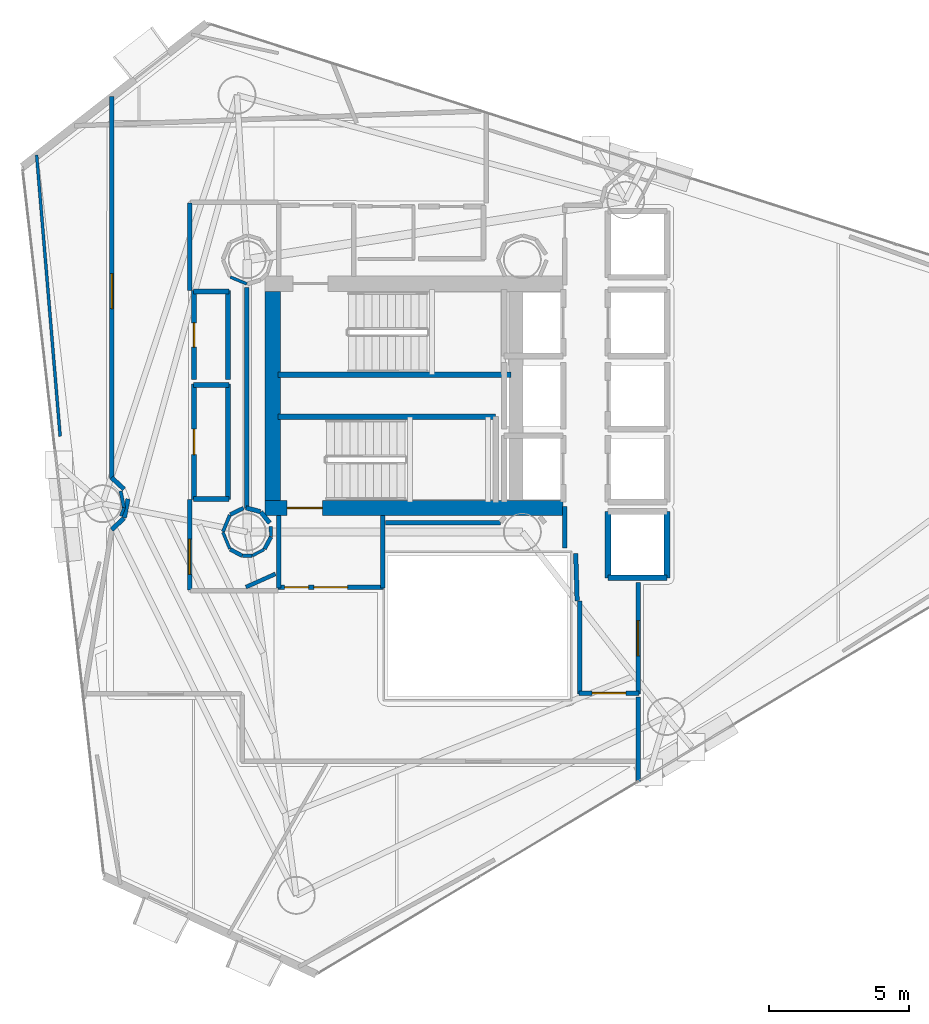
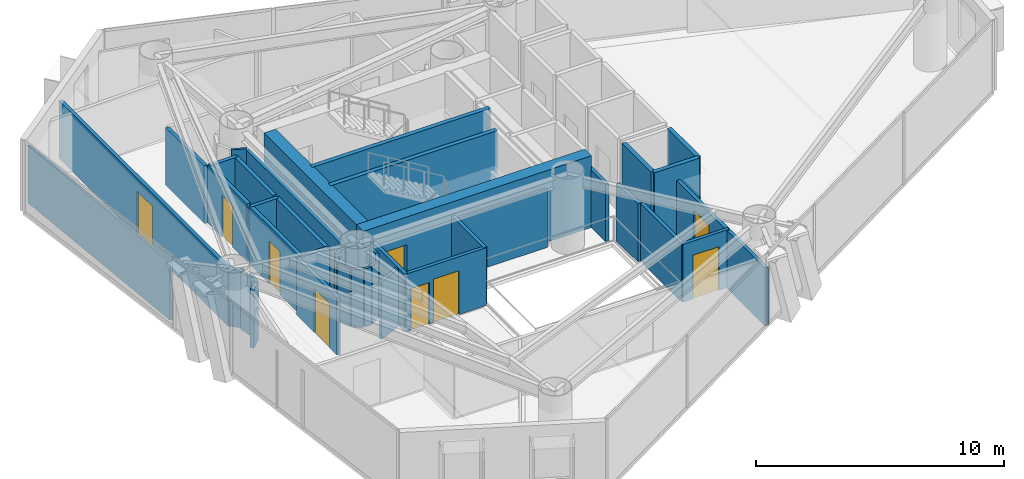
# One storey, part 18 of 22: 46 walls, 9 doors, 9 openings.
"""IFC4 building model written with IfcOpenShell, lengths in metres."""

import ifcopenshell
import ifcopenshell.guid

model = None  # the IFC model being written
_history = None  # IfcOwnerHistory: only IFC2X3 demands one
_inside = {}  # id of a spatial element -> (the spatial element, [elements in it])
_under = {}  # id of a project, library or spatial element -> (it, [spatial elements below it])
_declared = {}  # id of a project -> (the project, [libraries it declares])
_typed = {}  # id of a type object -> (the type object, [elements of that type])
_made_of = {}  # id of a material, layer set ... -> (it, [elements and type objects made of it])


def new_model(schema):
    """Start an empty IFC model of exactly this schema.

    Asked for "IFC4X3", IfcOpenShell would pick the latest addendum, in which some entities
    have other attributes; the version numbers below select the first issue.
    IFC2X3 requires an IfcOwnerHistory on every rooted entity: one is made here for all.
    """
    global model, _history
    if schema == "IFC4X3":
        model = ifcopenshell.file(schema_version=(4, 3, 0, 0))
    else:
        model = ifcopenshell.file(schema=schema)
    _inside.clear()
    _under.clear()
    _declared.clear()
    _typed.clear()
    _made_of.clear()
    _history = None
    if model.schema == "IFC2X3":
        org = make("IfcOrganization", Name="unknown")
        user = make(
            "IfcPersonAndOrganization",
            ThePerson=make("IfcPerson", FamilyName="unknown"),
            TheOrganization=org,
        )
        app = make(
            "IfcApplication",
            ApplicationDeveloper=org,
            Version="unknown",
            ApplicationFullName="unknown",
            ApplicationIdentifier="unknown",
        )
        _history = make(
            "IfcOwnerHistory",
            OwningUser=user,
            OwningApplication=app,
            ChangeAction="ADDED",
            CreationDate=0,
        )
    return model


def make(cls, **values):
    """One entity of the class cls with the attributes given. An attribute that is None is left unset."""
    return model.create_entity(
        cls, **{name: value for name, value in values.items() if value is not None}
    )


def rooted(cls, **values):
    """An entity with a GlobalId (a new one), such as an element, a storey or a relation."""
    return make(cls, GlobalId=ifcopenshell.guid.new(), OwnerHistory=_history, **values)


def si_unit(unit_type, name, prefix=None):
    """IfcSIUnit, for example si_unit("LENGTHUNIT", "METRE", prefix="MILLI")."""
    return make("IfcSIUnit", UnitType=unit_type, Prefix=prefix, Name=name)


def assignment(units):
    """IfcUnitAssignment: the units of a project."""
    return None if units is None else make("IfcUnitAssignment", Units=units)


def point(xyz):
    """IfcCartesianPoint."""
    return None if xyz is None else make("IfcCartesianPoint", Coordinates=xyz)


def direction(xyz):
    """IfcDirection."""
    return None if xyz is None else make("IfcDirection", DirectionRatios=xyz)


def frame(location, z_axis=None, x_axis=None):
    """IfcAxis2Placement3D, a coordinate frame: its origin and axes. An axis left out is left unset."""
    return make(
        "IfcAxis2Placement3D",
        Location=point(location),
        Axis=direction(z_axis),
        RefDirection=direction(x_axis),
    )


def frame_2d(location, x_axis=None):
    """IfcAxis2Placement2D, a coordinate frame in the plane: its origin and x axis."""
    return make(
        "IfcAxis2Placement2D", Location=point(location), RefDirection=direction(x_axis)
    )


def origin():
    """The frame at (0, 0, 0) with its axes left unset."""
    return frame((0.0, 0.0, 0.0))


def place(relative_to, where):
    """IfcLocalPlacement: puts the frame where relative to a parent placement (None: the world)."""
    return make(
        "IfcLocalPlacement", PlacementRelTo=relative_to, RelativePlacement=where
    )


def context(
    kind, dimensions, precision=None, world=None, true_north=None, identifier=None
):
    """IfcGeometricRepresentationContext, for example the 3D "Model" context."""
    return make(
        "IfcGeometricRepresentationContext",
        ContextIdentifier=identifier,
        ContextType=kind,
        CoordinateSpaceDimension=dimensions,
        Precision=precision,
        WorldCoordinateSystem=world,
        TrueNorth=true_north,
    )


def subcontext(parent, identifier, kind, view, scale=None):
    """IfcGeometricRepresentationSubContext, for example "Body" below "Model"."""
    return make(
        "IfcGeometricRepresentationSubContext",
        ContextIdentifier=identifier,
        ContextType=kind,
        ParentContext=parent,
        TargetScale=scale,
        TargetView=view,
    )


def project(units=None, contexts=None):
    """IfcProject with its units and contexts."""
    return rooted(
        "IfcProject",
        Name="project",
        RepresentationContexts=contexts,
        UnitsInContext=assignment(units),
    )


def spatial(cls, under=None, at=None, **own):
    """A site, building, storey or space (cls), placed at a placement, below another one or the project."""
    s = rooted(cls, ObjectPlacement=at, **own)
    if under is not None:
        _under.setdefault(under.id(), (under, []))[1].append(s)
    return s


def profile(cls, at=None, kind="AREA", **sizes):
    """A parametric profile (cls). Its sizes go by their IFC names, for example OverallWidth=200.0."""
    return make(cls, ProfileType=kind, Position=at, **sizes)


def rectangle(**sizes):
    """IfcRectangleProfileDef."""
    return profile("IfcRectangleProfileDef", **sizes)


def extrude(swept, where, along, depth):
    """IfcExtrudedAreaSolid: the profile swept, set in the frame where, extruded along a direction by depth."""
    return make(
        "IfcExtrudedAreaSolid",
        SweptArea=swept,
        Position=where,
        ExtrudedDirection=direction(along),
        Depth=depth,
    )


def shape(context_of_items, identifier, shape_type, items):
    """IfcShapeRepresentation: the items that make up one representation, for example the "Body"."""
    return make(
        "IfcShapeRepresentation",
        ContextOfItems=context_of_items,
        RepresentationIdentifier=identifier,
        RepresentationType=shape_type,
        Items=items,
    )


def material(Name=None, Category=None):
    """IfcMaterial."""
    return make("IfcMaterial", Name=Name, Category=Category)


def layer(
    of_material, thickness, ventilated=None, Name=None, Category=None, Priority=None
):
    """IfcMaterialLayer: one layer of a wall or slab, of a material (None: an air gap)."""
    return make(
        "IfcMaterialLayer",
        Material=of_material,
        LayerThickness=thickness,
        IsVentilated=ventilated,
        Name=Name,
        Category=Category,
        Priority=Priority,
    )


def layer_set(layers, Name=None):
    """IfcMaterialLayerSet."""
    return make("IfcMaterialLayerSet", MaterialLayers=layers, LayerSetName=Name)


def made_of(thing, what):
    """Note that an element or type object is made of a material, layer set ...; save() writes the relation."""
    if what is not None:
        _made_of.setdefault(what.id(), (what, []))[1].append(thing)
    return thing


def type_object(cls, material=None, **own):
    """A type object (cls), such as IfcWallType, which elements share."""
    return made_of(rooted(cls, **own), material)


def element(
    cls,
    number,
    at=None,
    inside=None,
    cuts=None,
    type_object=None,
    material=None,
    context=None,
    identifier="Body",
    shape_type=None,
    held_by="IfcProductDefinitionShape",
    body=None,
    shapes=None,
    **own,
):
    """One element of the class cls, such as IfcWall. Its Tag is "e" and its number.

    at: its placement. inside: the storey or other place that contains it. cuts: it is an
    opening in that element (IfcRelVoidsElement). A single representation is given by context,
    identifier, shape_type and body (its items); several are given by shapes. held_by: the class
    of the entity that holds the representations. save() writes the other relations.
    """
    e = rooted(cls, Tag="e%d" % number, ObjectPlacement=at, **own)
    if body is not None:
        shapes = [shape(context, identifier, shape_type, body)]
    if shapes is not None:
        e.Representation = make(held_by, Representations=shapes)
    if inside is not None:
        _inside.setdefault(inside.id(), (inside, []))[1].append(e)
    if cuts is not None:
        rooted(
            "IfcRelVoidsElement", RelatingBuildingElement=cuts, RelatedOpeningElement=e
        )
    if type_object is not None:
        _typed.setdefault(type_object.id(), (type_object, []))[1].append(e)
    return made_of(e, material)


def fill(opening, filler):
    """IfcRelFillsElement: the door or window that sits in an opening."""
    return rooted(
        "IfcRelFillsElement",
        RelatingOpeningElement=opening,
        RelatedBuildingElement=filler,
    )


def aggregate(whole, parts):
    """IfcRelAggregates: a whole, such as a stair, and the parts it consists of."""
    return rooted("IfcRelAggregates", RelatingObject=whole, RelatedObjects=parts)


def save(model, path):
    """Write the relations noted so far, then the file.

    IfcRelAggregates (storeys below a building ...), IfcRelContainedInSpatialStructure (elements
    in a storey), IfcRelDefinesByType, IfcRelAssociatesMaterial and IfcRelDeclares: one each for
    every whole, place, type object, material and project.
    """
    for whole, parts in _under.values():
        aggregate(whole, parts)
    for where, things in _inside.values():
        rooted(
            "IfcRelContainedInSpatialStructure",
            RelatedElements=things,
            RelatingStructure=where,
        )
    for kind, things in _typed.values():
        rooted("IfcRelDefinesByType", RelatedObjects=things, RelatingType=kind)
    for what, things in _made_of.values():
        rooted("IfcRelAssociatesMaterial", RelatedObjects=things, RelatingMaterial=what)
    for by, libraries in _declared.values():
        rooted("IfcRelDeclares", RelatingContext=by, RelatedDefinitions=libraries)
    model.write(path)


model = new_model("IFC4")

# Units and contexts
model_context = context("Model", 3, precision=1e-05, world=origin(), true_north=direction((0.0, 1.0)))
body_context = subcontext(model_context, "Body", "Model", "MODEL_VIEW")
ifc_project = project(units=[si_unit("LENGTHUNIT", "METRE"), si_unit("AREAUNIT", "SQUARE_METRE"), si_unit("VOLUMEUNIT", "CUBIC_METRE"), si_unit("PLANEANGLEUNIT", "RADIAN"), si_unit("MASSUNIT", "GRAM", prefix="KILO")], contexts=[model_context])

# Site, building, storey
site_placement = place(None, origin())
site = spatial("IfcSite", under=ifc_project, at=site_placement, CompositionType="ELEMENT")
building_placement = place(site_placement, origin())
building = spatial("IfcBuilding", under=site, at=building_placement, Name="Qianvela Tower", CompositionType="ELEMENT")
storey_placement = place(building_placement, frame((0.0, 0.0, 173.5)))
storey = spatial("IfcBuildingStorey", under=building, at=storey_placement, Name="L44", CompositionType="ELEMENT", Elevation=173.5)

# Wall, opening, door
ifc_material_1 = material(Name="Concrete C60", Category="concrete")
ifc_layer_1 = layer(ifc_material_1, 0.550048828125)
ifc_layer_set_1 = layer_set([ifc_layer_1], Name="Concrete C60")
wall_type_1 = type_object("IfcWallType", Name="WT-CORE-550", PredefinedType="SHEAR", material=ifc_layer_set_1)
wall_1_placement = place(storey_placement, frame((29.22998046875, 24.705078125, 0.0), z_axis=(0.0, 0.0, 1.0), x_axis=(1.0, 0.0, 0.0)))
wall_1 = element("IfcWall", 1, at=wall_1_placement, inside=storey, type_object=wall_type_1, Name="L44 South Core Shear Wall", PredefinedType="SHEAR", context=body_context, shape_type="SweptSolid", body=[
    extrude(rectangle(XDim=10.6201171875, YDim=0.550048828125, at=frame_2d((5.31005859375, 0.0))), origin(), (0.0, 0.0, 1.0), 3.52001953125),
])
opening_1_placement = place(wall_1_placement, frame((0.794921875, 0.0, 0.0)))
opening_1 = element("IfcOpeningElement", 2, at=opening_1_placement, cuts=wall_1, Name="Opening D-ST1", PredefinedType="OPENING", context=body_context, shape_type="SweptSolid", body=[
    extrude(rectangle(XDim=1.25, YDim=2.14990234375, at=frame_2d((0.625, 1.074951171875))), frame((0.0, 0.284912109375, 0.0), z_axis=(0.0, -1.0, 0.0), x_axis=(1.0, 0.0, 0.0)), (0.0, 0.0, 1.0), 0.570068359375),
])
ifc_material_2 = material(Name="Galvanised Fire Steel Q355B", Category="steel")
door_type_1 = type_object("IfcDoorType", Name="DT-STAIR-FD90", OperationType="NOTDEFINED", PredefinedType="DOOR", material=ifc_material_2)
door_1_placement = place(opening_1_placement, origin())
door_1 = element("IfcDoor", 3, at=door_1_placement, inside=storey, type_object=door_type_1, Name="L44 Stair ST-2 Exit Door", OperationType="SINGLE_SWING_RIGHT", OverallHeight=2.14990234375, OverallWidth=1.25, PredefinedType="DOOR", context=body_context, shape_type="SweptSolid", body=[
    extrude(rectangle(XDim=1.25, YDim=2.14990234375, at=frame_2d((0.625, 1.074951171875))), frame((0.0, 0.02490234375, 0.0), z_axis=(0.0, -1.0, 0.0), x_axis=(1.0, 0.0, 0.0)), (0.0, 0.0, 1.0), 0.050048828125),
])
fill(opening_1, door_1)

# Wall
wall_2_placement = place(storey_placement, frame((29.5048828125, 24.97998046875, 0.0), z_axis=(0.0, 0.0, 1.0), x_axis=(0.0, 1.0, 0.0)))
element("IfcWall", 4, at=wall_2_placement, inside=storey, type_object=wall_type_1, Name="L44 West Core Shear Wall", PredefinedType="SHEAR", context=body_context, shape_type="SweptSolid", body=[
    extrude(rectangle(XDim=7.43994140625, YDim=0.550048828125, at=frame_2d((3.719970703125, 0.0))), origin(), (0.0, 0.0, 1.0), 3.52001953125),
])

# Wall, openings, doors
ifc_material_3 = material(Name="Fire-Rated Gypsum and Concrete Block", Category="concrete")
ifc_layer_2 = layer(ifc_material_3, 0.159912109375)
ifc_layer_set_2 = layer_set([ifc_layer_2], Name="Fire-Rated Gypsum and Concrete Block")
wall_type_2 = type_object("IfcWallType", Name="WT-CORR-160", PredefinedType="PARTITIONING", material=ifc_layer_set_2)
wall_3_placement = place(storey_placement, frame((33.449951171875, 21.881103515625, 0.0), z_axis=(0.0, 0.0, 1.0), x_axis=(-1.0, 0.0, 0.0)))
wall_3 = element("IfcWall", 5, at=wall_3_placement, inside=storey, type_object=wall_type_2, Name="L44 Partition 5", PredefinedType="PARTITIONING", context=body_context, shape_type="SweptSolid", body=[
    extrude(rectangle(XDim=3.75, YDim=0.159912109375, at=frame_2d((1.875, 0.0))), origin(), (0.0, 0.0, 1.0), 2.840087890625),
])
opening_2_placement = place(wall_3_placement, frame((1.27490234375, 0.0, 0.0)))
opening_2 = element("IfcOpeningElement", 6, at=opening_2_placement, cuts=wall_3, Name="Opening D-LB1", PredefinedType="OPENING", context=body_context, shape_type="SweptSolid", body=[
    extrude(rectangle(XDim=1.199951171875, YDim=2.14990234375, at=frame_2d((0.60009765625, 1.074951171875))), frame((0.0, 0.08984375, 0.0), z_axis=(0.0, -1.0, 0.0), x_axis=(1.0, 0.0, 0.0)), (0.0, 0.0, 1.0), 0.179931640625),
])
opening_3_placement = place(wall_3_placement, frame((2.659912109375, 0.0, 0.0)))
opening_3 = element("IfcOpeningElement", 7, at=opening_3_placement, cuts=wall_3, Name="Opening D-LB2", PredefinedType="OPENING", context=body_context, shape_type="SweptSolid", body=[
    extrude(rectangle(XDim=0.860107421875, YDim=2.050048828125, at=frame_2d((0.43017578125, 1.02490234375))), frame((0.0, 0.08984375, 0.0), z_axis=(0.0, -1.0, 0.0), x_axis=(1.0, 0.0, 0.0)), (0.0, 0.0, 1.0), 0.179931640625),
])
ifc_material_4 = material(Name="Glazed Fire-Rated Steel Frame", Category="steel")
door_type_2 = type_object("IfcDoorType", Name="DT-LOBBY-FD90", OperationType="NOTDEFINED", PredefinedType="DOOR", material=ifc_material_4)
door_2_placement = place(opening_2_placement, origin())
door_2 = element("IfcDoor", 8, at=door_2_placement, inside=storey, type_object=door_type_2, Name="L44 Door L44 Firefighting Lobby South to L44 Floor Corridor", OperationType="SINGLE_SWING_LEFT", OverallHeight=2.14990234375, OverallWidth=1.199951171875, PredefinedType="DOOR", context=body_context, shape_type="SweptSolid", body=[
    extrude(rectangle(XDim=1.199951171875, YDim=2.14990234375, at=frame_2d((0.60009765625, 1.074951171875))), frame((0.0, 0.02490234375, 0.0), z_axis=(0.0, -1.0, 0.0), x_axis=(1.0, 0.0, 0.0)), (0.0, 0.0, 1.0), 0.050048828125),
])
fill(opening_2, door_2)
ifc_material_5 = material(Name="Insulated Steel Fire Door Q355B", Category="steel")
door_type_3 = type_object("IfcDoorType", Name="DT-LOBBY-FD90-860", OperationType="NOTDEFINED", PredefinedType="DOOR", material=ifc_material_5)
door_3_placement = place(opening_3_placement, origin())
door_3 = element("IfcDoor", 9, at=door_3_placement, inside=storey, type_object=door_type_3, Name="L44 Door L44 Firefighting Lobby South to L44 Floor Corridor", OperationType="SINGLE_SWING_RIGHT", OverallHeight=2.050048828125, OverallWidth=0.860107421875, PredefinedType="DOOR", context=body_context, shape_type="SweptSolid", body=[
    extrude(rectangle(XDim=0.860107421875, YDim=2.050048828125, at=frame_2d((0.43017578125, 1.02490234375))), frame((0.0, 0.02490234375, 0.0), z_axis=(0.0, -1.0, 0.0), x_axis=(1.0, 0.0, 0.0)), (0.0, 0.0, 1.0), 0.050048828125),
])
fill(opening_3, door_3)

# Walls
for number, where, z_axis, x_axis, name in (
    (10, (29.73095703125, 21.85009765625, 0.0), (0.0, 0.0, 1.0), (0.0, 1.0, 0.0), "L44 Partition 6"),
    (11, (33.4189453125, 24.44189453125, 0.0), (0.0, 0.0, 1.0), (0.0, -1.0, 0.0), "L44 Partition 8"),
):
    element("IfcWall", number, at=place(storey_placement, frame(where, z_axis=z_axis, x_axis=x_axis)), inside=storey, type_object=wall_type_2, Name=name, PredefinedType="PARTITIONING", context=body_context, shape_type="SweptSolid", body=[
        extrude(rectangle(XDim=2.591796875, YDim=0.159912109375, at=frame_2d((1.2958984375, 0.0))), origin(), (0.0, 0.0, 1.0), 2.840087890625),
    ])
wall_4_placement = place(storey_placement, frame((40.35107421875, 21.40087890625, 0.0), z_axis=(0.0, 0.0, 1.0), x_axis=(-0.031058045979, 0.999517582527, 0.0)))
element("IfcWall", 12, at=wall_4_placement, inside=storey, type_object=wall_type_2, Name="L44 Partition 9", PredefinedType="PARTITIONING", context=body_context, shape_type="SweptSolid", body=[
    extrude(rectangle(XDim=1.68212890625, YDim=0.159912109375, at=frame_2d((0.841064453125, 0.0))), origin(), (0.0, 0.0, 1.0), 2.840087890625),
])
wall_5_placement = place(storey_placement, frame((39.910888671875, 23.280029296875, 0.0), z_axis=(0.0, 0.0, 1.0), x_axis=(0.0, 1.0, 0.0)))
element("IfcWall", 13, at=wall_5_placement, inside=storey, type_object=wall_type_2, Name="L44 Partition 10", PredefinedType="PARTITIONING", context=body_context, shape_type="SweptSolid", body=[
    extrude(rectangle(XDim=1.47998046875, YDim=0.159912109375, at=frame_2d((0.739990234375, 0.0))), origin(), (0.0, 0.0, 1.0), 2.840087890625),
])

# Wall, opening, door
wall_6_placement = place(storey_placement, frame((42.51904296875, 22.050048828125, 0.0), z_axis=(0.0, 0.0, 1.0), x_axis=(0.0, -1.0, 0.0)))
wall_6 = element("IfcWall", 14, at=wall_6_placement, inside=storey, type_object=wall_type_2, Name="L44 Partition 17", PredefinedType="PARTITIONING", context=body_context, shape_type="SweptSolid", body=[
    extrude(rectangle(XDim=3.969970703125, YDim=0.159912109375, at=frame_2d((1.98486328125, 0.0))), origin(), (0.0, 0.0, 1.0), 2.840087890625),
])
opening_4_placement = place(wall_6_placement, frame((1.360107421875, 0.0, 0.0)))
opening_4 = element("IfcOpeningElement", 15, at=opening_4_placement, cuts=wall_6, Name="Opening D-LG1", PredefinedType="OPENING", context=body_context, shape_type="SweptSolid", body=[
    extrude(rectangle(XDim=1.25, YDim=2.199951171875, at=frame_2d((0.625, 1.10009765625))), frame((0.0, 0.08984375, 0.0), z_axis=(0.0, -1.0, 0.0), x_axis=(1.0, 0.0, 0.0)), (0.0, 0.0, 1.0), 0.179931640625),
])
ifc_material_6 = material(Name="Anodised Aluminium Acoustic Glass Door", Category="aluminium")
door_type_4 = type_object("IfcDoorType", Name="DT-LOUNGE-1250", OperationType="NOTDEFINED", PredefinedType="DOOR", material=ifc_material_6)
door_4_placement = place(opening_4_placement, origin())
door_4 = element("IfcDoor", 16, at=door_4_placement, inside=storey, type_object=door_type_4, Name="L44 Door Graduate Seminar Classroom L44-03 to L44 Lift Lobby", OperationType="SINGLE_SWING_LEFT", OverallHeight=2.199951171875, OverallWidth=1.25, PredefinedType="DOOR", context=body_context, shape_type="SweptSolid", body=[
    extrude(rectangle(XDim=1.25, YDim=2.199951171875, at=frame_2d((0.625, 1.10009765625))), frame((0.0, 0.02490234375, 0.0), z_axis=(0.0, -1.0, 0.0), x_axis=(1.0, 0.0, 0.0)), (0.0, 0.0, 1.0), 0.050048828125),
])
fill(opening_4, door_4)

wall_7_placement = place(storey_placement, frame((42.550048828125, 18.111083984375, 0.0), z_axis=(0.0, 0.0, 1.0), x_axis=(-1.0, 0.0, 0.0)))
wall_7 = element("IfcWall", 17, at=wall_7_placement, inside=storey, type_object=wall_type_2, Name="L44 Partition 18", PredefinedType="PARTITIONING", context=body_context, shape_type="SweptSolid", body=[
    extrude(rectangle(XDim=2.130126953125, YDim=0.159912109375, at=frame_2d((1.06494140625, 0.0))), origin(), (0.0, 0.0, 1.0), 2.840087890625),
])
opening_5_placement = place(wall_7_placement, frame((0.465087890625, 0.0, 0.0)))
opening_5 = element("IfcOpeningElement", 18, at=opening_5_placement, cuts=wall_7, Name="Opening D-LB1", PredefinedType="OPENING", context=body_context, shape_type="SweptSolid", body=[
    extrude(rectangle(XDim=1.199951171875, YDim=2.14990234375, at=frame_2d((0.60009765625, 1.074951171875))), frame((0.0, 0.08984375, 0.0), z_axis=(0.0, -1.0, 0.0), x_axis=(1.0, 0.0, 0.0)), (0.0, 0.0, 1.0), 0.179931640625),
])
door_5_placement = place(opening_5_placement, origin())
door_5 = element("IfcDoor", 19, at=door_5_placement, inside=storey, type_object=door_type_2, Name="L44 Door L44 Lift Lobby to L44 Floor Corridor", OperationType="SINGLE_SWING_RIGHT", OverallHeight=2.14990234375, OverallWidth=1.199951171875, PredefinedType="DOOR", context=body_context, shape_type="SweptSolid", body=[
    extrude(rectangle(XDim=1.199951171875, YDim=2.14990234375, at=frame_2d((0.60009765625, 1.074951171875))), frame((0.0, 0.02490234375, 0.0), z_axis=(0.0, -1.0, 0.0), x_axis=(1.0, 0.0, 0.0)), (0.0, 0.0, 1.0), 0.050048828125),
])
fill(opening_5, door_5)

# Walls
wall_8_placement = place(storey_placement, frame((40.450927734375, 18.080078125, 0.0), z_axis=(0.0, 0.0, 1.0), x_axis=(0.0, 1.0, 0.0)))
element("IfcWall", 20, at=wall_8_placement, inside=storey, type_object=wall_type_2, Name="L44 Partition 19 seg 1", PredefinedType="PARTITIONING", context=body_context, shape_type="SweptSolid", body=[
    extrude(rectangle(XDim=3.31982421875, YDim=0.159912109375, at=frame_2d((1.659912109375, 0.0))), origin(), (0.0, 0.0, 1.0), 2.840087890625),
])
wall_9_placement = place(storey_placement, frame((29.401611328125, 24.169189453125, 0.0), z_axis=(0.0, 0.0, 1.0), x_axis=(-0.622091855036, 0.782944266151, 0.0)))
element("IfcWall", 21, at=wall_9_placement, inside=storey, type_object=wall_type_2, Name="L44 Partition 40", PredefinedType="PARTITIONING", context=body_context, shape_type="SweptSolid", body=[
    extrude(rectangle(XDim=0.50390625, YDim=0.159912109375, at=frame_2d((0.251953125, 0.0))), origin(), (0.0, 0.0, 1.0), 2.840087890625),
])
wall_10_placement = place(storey_placement, frame((29.07177734375, 24.57421875, 0.0), z_axis=(0.0, 0.0, 1.0), x_axis=(-0.966842101769, 0.255374920942, 0.0)))
element("IfcWall", 22, at=wall_10_placement, inside=storey, type_object=wall_type_2, Name="L44 Partition 41", PredefinedType="PARTITIONING", context=body_context, shape_type="SweptSolid", body=[
    extrude(rectangle(XDim=0.531494140625, YDim=0.159912109375, at=frame_2d((0.265625, 0.0))), origin(), (0.0, 0.0, 1.0), 2.840087890625),
])
wall_11_placement = place(storey_placement, frame((28.5810546875, 24.68017578125, 0.0), z_axis=(0.0, 0.0, 1.0), x_axis=(0.0, 1.0, 0.0)))
element("IfcWall", 23, at=wall_11_placement, inside=storey, type_object=wall_type_2, Name="L44 Partition 42", PredefinedType="PARTITIONING", context=body_context, shape_type="SweptSolid", body=[
    extrude(rectangle(XDim=7.869873046875, YDim=0.159912109375, at=frame_2d((3.93505859375, 0.0))), origin(), (0.0, 0.0, 1.0), 2.840087890625),
])
wall_12_placement = place(storey_placement, frame((37.62255859375, 24.180908203125, 0.0), z_axis=(0.0, 0.0, 1.0), x_axis=(-1.0, 0.0, 0.0)))
element("IfcWall", 24, at=wall_12_placement, inside=storey, type_object=wall_type_2, Name="L44 Partition 51", PredefinedType="PARTITIONING", context=body_context, shape_type="SweptSolid", body=[
    extrude(rectangle(XDim=4.092529296875, YDim=0.159912109375, at=frame_2d((2.04638671875, 0.0))), origin(), (0.0, 0.0, 1.0), 2.840087890625),
])
wall_13_placement = place(storey_placement, frame((24.211181640625, 25.37890625, 0.0), z_axis=(0.0, 0.0, 1.0), x_axis=(-0.735475561179, 0.677551251868, 0.0)))
element("IfcWall", 25, at=wall_13_placement, inside=storey, type_object=wall_type_2, Name="L44 Partition 52", PredefinedType="PARTITIONING", context=body_context, shape_type="SweptSolid", body=[
    extrude(rectangle(XDim=0.598388671875, YDim=0.159912109375, at=frame_2d((0.29931640625, 0.0))), origin(), (0.0, 0.0, 1.0), 2.840087890625),
])

# Wall, opening, door
wall_14_placement = place(storey_placement, frame((23.781005859375, 25.76171875, 0.0), z_axis=(0.0, 0.0, 1.0), x_axis=(0.0, 1.0, 0.0)))
wall_14 = element("IfcWall", 26, at=wall_14_placement, inside=storey, type_object=wall_type_2, Name="L44 Partition 53", PredefinedType="PARTITIONING", context=body_context, shape_type="SweptSolid", body=[
    extrude(rectangle(XDim=13.599365234375, YDim=0.159912109375, at=frame_2d((6.7998046875, 0.0))), origin(), (0.0, 0.0, 1.0), 2.840087890625),
])
opening_6_placement = place(wall_14_placement, frame((6.044189453125, 0.0, 0.0)))
opening_6 = element("IfcOpeningElement", 27, at=opening_6_placement, cuts=wall_14, Name="Opening D-LG1", PredefinedType="OPENING", context=body_context, shape_type="SweptSolid", body=[
    extrude(rectangle(XDim=1.25, YDim=2.199951171875, at=frame_2d((0.625, 1.10009765625))), frame((0.0, 0.08984375, 0.0), z_axis=(0.0, -1.0, 0.0), x_axis=(1.0, 0.0, 0.0)), (0.0, 0.0, 1.0), 0.179931640625),
])
door_6_placement = place(opening_6_placement, origin())
door_6 = element("IfcDoor", 28, at=door_6_placement, inside=storey, type_object=door_type_4, Name="L44 Door Quiet Reading Study L44-05 to L44 Floor Corridor", OperationType="SINGLE_SWING_LEFT", OverallHeight=2.199951171875, OverallWidth=1.25, PredefinedType="DOOR", context=body_context, shape_type="SweptSolid", body=[
    extrude(rectangle(XDim=1.25, YDim=2.199951171875, at=frame_2d((0.625, 1.10009765625))), frame((0.0, 0.02490234375, 0.0), z_axis=(0.0, -1.0, 0.0), x_axis=(1.0, 0.0, 0.0)), (0.0, 0.0, 1.0), 0.050048828125),
])
fill(opening_6, door_6)

# Wall
wall_15_placement = place(storey_placement, frame((26.549072265625, 35.56005859375, 0.0), z_axis=(0.0, 0.0, 1.0), x_axis=(0.0, -1.0, 0.0)))
element("IfcWall", 29, at=wall_15_placement, inside=storey, type_object=wall_type_2, Name="L44 Partition 57 seg 1", PredefinedType="PARTITIONING", context=body_context, shape_type="SweptSolid", body=[
    extrude(rectangle(XDim=3.110107421875, YDim=0.159912109375, at=frame_2d((1.55517578125, 0.0))), origin(), (0.0, 0.0, 1.0), 2.840087890625),
])

# Wall, opening, door
wall_16_placement = place(storey_placement, frame((26.549072265625, 25.0, 0.0), z_axis=(0.0, 0.0, 1.0), x_axis=(0.0, -1.0, 0.0)))
wall_16 = element("IfcWall", 30, at=wall_16_placement, inside=storey, type_object=wall_type_2, Name="L44 Partition 57 seg 3", PredefinedType="PARTITIONING", context=body_context, shape_type="SweptSolid", body=[
    extrude(rectangle(XDim=3.219970703125, YDim=0.159912109375, at=frame_2d((1.60986328125, 0.0))), origin(), (0.0, 0.0, 1.0), 2.840087890625),
])
opening_7_placement = place(wall_16_placement, frame((1.405029296875, 0.0, 0.0)))
opening_7 = element("IfcOpeningElement", 31, at=opening_7_placement, cuts=wall_16, Name="Opening D-LG1", PredefinedType="OPENING", context=body_context, shape_type="SweptSolid", body=[
    extrude(rectangle(XDim=1.25, YDim=2.199951171875, at=frame_2d((0.625, 1.10009765625))), frame((0.0, 0.08984375, 0.0), z_axis=(0.0, -1.0, 0.0), x_axis=(1.0, 0.0, 0.0)), (0.0, 0.0, 1.0), 0.179931640625),
])
door_7_placement = place(opening_7_placement, origin())
door_7 = element("IfcDoor", 32, at=door_7_placement, inside=storey, type_object=door_type_4, Name="L44 Door Panoramic Study Lounge L44-06 to L44 Floor Corridor", OperationType="SINGLE_SWING_RIGHT", OverallHeight=2.199951171875, OverallWidth=1.25, PredefinedType="DOOR", context=body_context, shape_type="SweptSolid", body=[
    extrude(rectangle(XDim=1.25, YDim=2.199951171875, at=frame_2d((0.625, 1.10009765625))), frame((0.0, 0.02490234375, 0.0), z_axis=(0.0, -1.0, 0.0), x_axis=(1.0, 0.0, 0.0)), (0.0, 0.0, 1.0), 0.050048828125),
])
fill(opening_7, door_7)

# Walls
wall_17_placement = place(storey_placement, frame((42.51904296875, 17.97998046875, 0.0), z_axis=(0.0, 0.0, 1.0), x_axis=(0.0, -1.0, 0.0)))
element("IfcWall", 33, at=wall_17_placement, inside=storey, type_object=wall_type_2, Name="L44 Partition 60 seg 1", PredefinedType="PARTITIONING", context=body_context, shape_type="SweptSolid", body=[
    extrude(rectangle(XDim=3.041748046875, YDim=0.159912109375, at=frame_2d((1.52099609375, 0.0))), origin(), (0.0, 0.0, 1.0), 2.840087890625),
])
wall_18_placement = place(storey_placement, frame((23.77099609375, 23.93359375, 0.0), z_axis=(0.0, 0.0, 1.0), x_axis=(0.735475561179, 0.677551251868, 0.0)))
element("IfcWall", 34, at=wall_18_placement, inside=storey, type_object=wall_type_2, Name="L44 Partition 65", PredefinedType="PARTITIONING", context=body_context, shape_type="SweptSolid", body=[
    extrude(rectangle(XDim=0.598388671875, YDim=0.159912109375, at=frame_2d((0.29931640625, 0.0))), origin(), (0.0, 0.0, 1.0), 2.840087890625),
])
wall_19_placement = place(storey_placement, frame((24.220703125, 24.355712890625, 0.0), z_axis=(0.0, 0.0, 1.0), x_axis=(0.19495084259, 0.980813014276, 0.0)))
element("IfcWall", 35, at=wall_19_placement, inside=storey, type_object=wall_type_2, Name="L44 Partition 66", PredefinedType="PARTITIONING", context=body_context, shape_type="SweptSolid", body=[
    extrude(rectangle(XDim=0.68505859375, YDim=0.159912109375, at=frame_2d((0.342529296875, 0.0))), origin(), (0.0, 0.0, 1.0), 2.840087890625),
])
ifc_material_7 = material(Name="Lightweight Gypsum Room Partition")
ifc_layer_3 = layer(ifc_material_7, 0.10498046875)
ifc_layer_set_3 = layer_set([ifc_layer_3], Name="Lightweight Gypsum Room Partition")
wall_type_3 = type_object("IfcWallType", Name="WT-PART-105", PredefinedType="PARTITIONING", material=ifc_layer_set_3)
wall_20_placement = place(storey_placement, frame((24.215087890625, 24.712158203125, 0.0), z_axis=(0.0, 0.0, 1.0), x_axis=(-0.382033010029, -0.924148678108, 0.0)))
element("IfcWall", 36, at=wall_20_placement, inside=storey, type_object=wall_type_3, Name="L44 Partition 113", PredefinedType="PARTITIONING", context=body_context, shape_type="SweptSolid", body=[
    extrude(rectangle(XDim=0.315673828125, YDim=0.10498046875, at=frame_2d((0.15771484375, 0.0))), origin(), (0.0, 0.0, 1.0), 2.840087890625),
])
wall_21_placement = place(storey_placement, frame((21.938232421875, 27.259765625, 0.0), z_axis=(0.0, 0.0, 1.0), x_axis=(-0.083441625366, 0.996512666832, 0.0)))
element("IfcWall", 37, at=wall_21_placement, inside=storey, type_object=wall_type_3, Name="L44 Partition 116 seg 3", PredefinedType="PARTITIONING", context=body_context, shape_type="SweptSolid", body=[
    extrude(rectangle(XDim=10.047607421875, YDim=0.10498046875, at=frame_2d((5.02392578125, 0.0))), origin(), (0.0, 0.0, 1.0), 2.840087890625),
])
wall_22_placement = place(storey_placement, frame((27.736328125, 23.838134765625, 0.0), z_axis=(0.0, 0.0, 1.0), x_axis=(0.382824178437, -0.923821221018, 0.0)))
element("IfcWall", 38, at=wall_22_placement, inside=storey, type_object=wall_type_3, Name="L44 Partition 122", PredefinedType="PARTITIONING", context=body_context, shape_type="SweptSolid", body=[
    extrude(rectangle(XDim=0.638916015625, YDim=0.10498046875, at=frame_2d((0.3193359375, 0.0))), origin(), (0.0, 0.0, 1.0), 2.840087890625),
])
wall_23_placement = place(storey_placement, frame((28.777587890625, 23.003662109375, 0.0), z_axis=(0.0, 0.0, 1.0), x_axis=(0.88190639713, 0.471424550379, 0.0)))
element("IfcWall", 39, at=wall_23_placement, inside=storey, type_object=wall_type_3, Name="L44 Partition 125", PredefinedType="PARTITIONING", context=body_context, shape_type="SweptSolid", body=[
    extrude(rectangle(XDim=0.484619140625, YDim=0.10498046875, at=frame_2d((0.2421875, 0.0))), origin(), (0.0, 0.0, 1.0), 2.840087890625),
])
wall_24_placement = place(storey_placement, frame((27.997802734375, 32.930908203125, 0.0), z_axis=(0.0, 0.0, 1.0), x_axis=(0.923821221018, -0.382824178437, 0.0)))
element("IfcWall", 40, at=wall_24_placement, inside=storey, type_object=wall_type_3, Name="L44 Partition 143", PredefinedType="PARTITIONING", context=body_context, shape_type="SweptSolid", body=[
    extrude(rectangle(XDim=0.638916015625, YDim=0.10498046875, at=frame_2d((0.3193359375, 0.0))), origin(), (0.0, 0.0, 1.0), 2.840087890625),
])
ifc_material_8 = material(Name="Insulated Gypsum Stud Partition")
ifc_layer_4 = layer(ifc_material_8, 0.1201171875)
ifc_layer_set_4 = layer_set([ifc_layer_4], Name="Insulated Gypsum Stud Partition")
wall_type_4 = type_object("IfcWallType", Name="WT-PART-120", PredefinedType="PARTITIONING", material=ifc_layer_set_4)
wall_25_placement = place(storey_placement, frame((24.09033203125, 25.30859375, 0.0), z_axis=(0.0, 0.0, 1.0), x_axis=(0.196340879162, -0.9805357001, 0.0)))
element("IfcWall", 41, at=wall_25_placement, inside=storey, type_object=wall_type_4, Name="L44 Partition 112", PredefinedType="PARTITIONING", context=body_context, shape_type="SweptSolid", body=[
    extrude(rectangle(XDim=0.626708984375, YDim=0.1201171875, at=frame_2d((0.3134765625, 0.0))), origin(), (0.0, 0.0, 1.0), 2.840087890625),
])
wall_26_placement = place(storey_placement, frame((27.98095703125, 24.452392578125, 0.0), z_axis=(0.0, 0.0, 1.0), x_axis=(-0.38268910224, -0.923877183952, 0.0)))
element("IfcWall", 42, at=wall_26_placement, inside=storey, type_object=wall_type_4, Name="L44 Partition 121", PredefinedType="PARTITIONING", context=body_context, shape_type="SweptSolid", body=[
    extrude(rectangle(XDim=0.63916015625, YDim=0.1201171875, at=frame_2d((0.319580078125, 0.0))), origin(), (0.0, 0.0, 1.0), 2.840087890625),
])
wall_27_placement = place(storey_placement, frame((28.43701171875, 23.0, 0.0), z_axis=(0.0, 0.0, 1.0), x_axis=(1.0, 0.0, 0.0)))
element("IfcWall", 43, at=wall_27_placement, inside=storey, type_object=wall_type_4, Name="L44 Partition 124", PredefinedType="PARTITIONING", context=body_context, shape_type="SweptSolid", body=[
    extrude(rectangle(XDim=0.325927734375, YDim=0.1201171875, at=frame_2d((0.1630859375, 0.0))), origin(), (0.0, 0.0, 1.0), 2.840087890625),
])
wall_28_placement = place(storey_placement, frame((29.449951171875, 23.68798828125, 0.0), z_axis=(0.0, 0.0, 1.0), x_axis=(-0.030919976938, 0.999521863206, 0.0)))
element("IfcWall", 44, at=wall_28_placement, inside=storey, type_object=wall_type_4, Name="L44 Partition 127", PredefinedType="PARTITIONING", context=body_context, shape_type="SweptSolid", body=[
    extrude(rectangle(XDim=0.36328125, YDim=0.1201171875, at=frame_2d((0.181640625, 0.0))), origin(), (0.0, 0.0, 1.0), 2.840087890625),
])

# Wall, opening, door
ifc_material_9 = material(Name="Moisture-Resistant Acoustic Plumbing Wall")
ifc_layer_5 = layer(ifc_material_9, 0.175048828125)
ifc_layer_set_5 = layer_set([ifc_layer_5], Name="Moisture-Resistant Acoustic Plumbing Wall")
wall_type_5 = type_object("IfcWallType", Name="WT-PLUMB-175", PredefinedType="PLUMBINGWALL", material=ifc_layer_set_5)
wall_29_placement = place(storey_placement, frame((26.7109375, 25.0, 0.0), z_axis=(0.0, 0.0, 1.0), x_axis=(0.0, 1.0, 0.0)))
wall_29 = element("IfcWall", 45, at=wall_29_placement, inside=storey, type_object=wall_type_5, Name="L44 Partition 28", PredefinedType="PLUMBINGWALL", context=body_context, shape_type="SweptSolid", body=[
    extrude(rectangle(XDim=4.1201171875, YDim=0.175048828125, at=frame_2d((2.06005859375, 0.0))), origin(), (0.0, 0.0, 1.0), 2.840087890625),
])
opening_8_placement = place(wall_29_placement, frame((1.610107421875, 0.0, 0.0)))
opening_8 = element("IfcOpeningElement", 46, at=opening_8_placement, cuts=wall_29, Name="Opening D-KT1", PredefinedType="OPENING", context=body_context, shape_type="SweptSolid", body=[
    extrude(rectangle(XDim=0.89990234375, YDim=2.10009765625, at=frame_2d((0.449951171875, 1.050048828125))), frame((0.0, 0.097412109375, 0.0), z_axis=(0.0, -1.0, 0.0), x_axis=(1.0, 0.0, 0.0)), (0.0, 0.0, 1.0), 0.195068359375),
])
ifc_material_10 = material(Name="Glazed Timber Kitchen Door", Category="wood")
door_type_5 = type_object("IfcDoorType", Name="DT-KITCH-900", OperationType="NOTDEFINED", PredefinedType="DOOR", material=ifc_material_10)
door_8_placement = place(opening_8_placement, origin())
door_8 = element("IfcDoor", 47, at=door_8_placement, inside=storey, type_object=door_type_5, Name="L44 Door L44 Core Tea Pantry West to L44 Floor Corridor", OperationType="SINGLE_SWING_LEFT", OverallHeight=2.10009765625, OverallWidth=0.89990234375, PredefinedType="DOOR", context=body_context, shape_type="SweptSolid", body=[
    extrude(rectangle(XDim=0.89990234375, YDim=2.10009765625, at=frame_2d((0.449951171875, 1.050048828125))), frame((0.0, 0.02490234375, 0.0), z_axis=(0.0, -1.0, 0.0), x_axis=(1.0, 0.0, 0.0)), (0.0, 0.0, 1.0), 0.050048828125),
])
fill(opening_8, door_8)

# Walls
wall_30_placement = place(storey_placement, frame((26.679931640625, 29.089111328125, 0.0), z_axis=(0.0, 0.0, 1.0), x_axis=(1.0, 0.0, 0.0)))
element("IfcWall", 48, at=wall_30_placement, inside=storey, type_object=wall_type_5, Name="L44 Partition 29", PredefinedType="PLUMBINGWALL", context=body_context, shape_type="SweptSolid", body=[
    extrude(rectangle(XDim=1.27001953125, YDim=0.175048828125, at=frame_2d((0.635009765625, 0.0))), origin(), (0.0, 0.0, 1.0), 2.840087890625),
])
wall_31_placement = place(storey_placement, frame((27.9189453125, 29.1201171875, 0.0), z_axis=(0.0, 0.0, 1.0), x_axis=(0.0, -1.0, 0.0)))
element("IfcWall", 49, at=wall_31_placement, inside=storey, type_object=wall_type_5, Name="L44 Partition 30", PredefinedType="PLUMBINGWALL", context=body_context, shape_type="SweptSolid", body=[
    extrude(rectangle(XDim=4.1201171875, YDim=0.175048828125, at=frame_2d((2.06005859375, 0.0))), origin(), (0.0, 0.0, 1.0), 2.840087890625),
])
wall_32_placement = place(storey_placement, frame((27.949951171875, 25.031005859375, 0.0), z_axis=(0.0, 0.0, 1.0), x_axis=(-1.0, 0.0, 0.0)))
element("IfcWall", 50, at=wall_32_placement, inside=storey, type_object=wall_type_5, Name="L44 Partition 31", PredefinedType="PLUMBINGWALL", context=body_context, shape_type="SweptSolid", body=[
    extrude(rectangle(XDim=1.27001953125, YDim=0.175048828125, at=frame_2d((0.635009765625, 0.0))), origin(), (0.0, 0.0, 1.0), 2.840087890625),
])

# Wall, opening, door
wall_33_placement = place(storey_placement, frame((26.7109375, 29.280029296875, 0.0), z_axis=(0.0, 0.0, 1.0), x_axis=(0.0, 1.0, 0.0)))
wall_33 = element("IfcWall", 51, at=wall_33_placement, inside=storey, type_object=wall_type_5, Name="L44 Partition 32", PredefinedType="PLUMBINGWALL", context=body_context, shape_type="SweptSolid", body=[
    extrude(rectangle(XDim=3.169921875, YDim=0.175048828125, at=frame_2d((1.5849609375, 0.0))), origin(), (0.0, 0.0, 1.0), 2.840087890625),
])
opening_9_placement = place(wall_33_placement, frame((1.155029296875, 0.0, 0.0)))
opening_9 = element("IfcOpeningElement", 52, at=opening_9_placement, cuts=wall_33, Name="Opening D-WC1", PredefinedType="OPENING", context=body_context, shape_type="SweptSolid", body=[
    extrude(rectangle(XDim=0.860107421875, YDim=2.050048828125, at=frame_2d((0.43017578125, 1.02490234375))), frame((0.0, 0.097412109375, 0.0), z_axis=(0.0, -1.0, 0.0), x_axis=(1.0, 0.0, 0.0)), (0.0, 0.0, 1.0), 0.195068359375),
])
ifc_material_11 = material(Name="Moisture-Sealed Acoustic Timber Door", Category="wood")
door_type_6 = type_object("IfcDoorType", Name="DT-WC-860", OperationType="NOTDEFINED", PredefinedType="DOOR", material=ifc_material_11)
door_9_placement = place(opening_9_placement, origin())
door_9 = element("IfcDoor", 53, at=door_9_placement, inside=storey, type_object=door_type_6, Name="L44 Door L44 Accessible WC to L44 Floor Corridor", OperationType="SINGLE_SWING_RIGHT", OverallHeight=2.050048828125, OverallWidth=0.860107421875, PredefinedType="DOOR", context=body_context, shape_type="SweptSolid", body=[
    extrude(rectangle(XDim=0.860107421875, YDim=2.050048828125, at=frame_2d((0.43017578125, 1.02490234375))), frame((0.0, 0.02490234375, 0.0), z_axis=(0.0, -1.0, 0.0), x_axis=(1.0, 0.0, 0.0)), (0.0, 0.0, 1.0), 0.050048828125),
])
fill(opening_9, door_9)

# Walls
wall_34_placement = place(storey_placement, frame((26.679931640625, 32.4189453125, 0.0), z_axis=(0.0, 0.0, 1.0), x_axis=(1.0, 0.0, 0.0)))
element("IfcWall", 54, at=wall_34_placement, inside=storey, type_object=wall_type_5, Name="L44 Partition 33", PredefinedType="PLUMBINGWALL", context=body_context, shape_type="SweptSolid", body=[
    extrude(rectangle(XDim=1.27001953125, YDim=0.175048828125, at=frame_2d((0.635009765625, 0.0))), origin(), (0.0, 0.0, 1.0), 2.840087890625),
])
wall_35_placement = place(storey_placement, frame((27.9189453125, 32.449951171875, 0.0), z_axis=(0.0, 0.0, 1.0), x_axis=(0.0, -1.0, 0.0)))
element("IfcWall", 55, at=wall_35_placement, inside=storey, type_object=wall_type_5, Name="L44 Partition 34", PredefinedType="PLUMBINGWALL", context=body_context, shape_type="SweptSolid", body=[
    extrude(rectangle(XDim=3.169921875, YDim=0.175048828125, at=frame_2d((1.5849609375, 0.0))), origin(), (0.0, 0.0, 1.0), 2.840087890625),
])
ifc_material_12 = material(Name="Acoustic Double Gypsum Stud Partition")
ifc_layer_6 = layer(ifc_material_12, 0.139892578125)
ifc_layer_set_6 = layer_set([ifc_layer_6], Name="Acoustic Double Gypsum Stud Partition")
wall_type_6 = type_object("IfcWallType", Name="WT-ROOM-140", PredefinedType="PARTITIONING", material=ifc_layer_set_6)
wall_36_placement = place(storey_placement, frame((28.465576171875, 24.700927734375, 0.0), z_axis=(0.0, 0.0, 1.0), x_axis=(-0.896097594631, -0.4438570726, 0.0)))
element("IfcWall", 56, at=wall_36_placement, inside=storey, type_object=wall_type_6, Name="L44 Partition 120", PredefinedType="PARTITIONING", context=body_context, shape_type="SweptSolid", body=[
    extrude(rectangle(XDim=0.524169921875, YDim=0.139892578125, at=frame_2d((0.26220703125, 0.0))), origin(), (0.0, 0.0, 1.0), 2.840087890625),
])
for number, where, z_axis, x_axis, name in (
    (57, (27.9951171875, 23.232177734375, 0.0), (0.0, 0.0, 1.0), (0.88190639713, -0.471424550379, 0.0), "L44 Partition 123"),
    (58, (29.2177734375, 23.2451171875, 0.0), (0.0, 0.0, 1.0), (0.471424550379, 0.88190639713, 0.0), "L44 Partition 126"),
):
    element("IfcWall", number, at=place(storey_placement, frame(where, z_axis=z_axis, x_axis=x_axis)), inside=storey, type_object=wall_type_6, Name=name, PredefinedType="PARTITIONING", context=body_context, shape_type="SweptSolid", body=[
        extrude(rectangle(XDim=0.484619140625, YDim=0.139892578125, at=frame_2d((0.2421875, 0.0))), origin(), (0.0, 0.0, 1.0), 2.840087890625),
    ])
wall_37_placement = place(storey_placement, frame((29.607421875, 22.3583984375, 0.0), z_axis=(0.0, 0.0, 1.0), x_axis=(-0.913023814965, -0.407906255538, 0.0)))
element("IfcWall", 59, at=wall_37_placement, inside=storey, type_object=wall_type_6, Name="L44 Partition 129", PredefinedType="PARTITIONING", context=body_context, shape_type="SweptSolid", body=[
    extrude(rectangle(XDim=1.15283203125, YDim=0.139892578125, at=frame_2d((0.576416015625, 0.0))), origin(), (0.0, 0.0, 1.0), 2.840087890625),
])
ifc_material_13 = material(Name="Concrete C50", Category="concrete")
ifc_layer_7 = layer(ifc_material_13, 0.199951171875)
ifc_layer_set_7 = layer_set([ifc_layer_7], Name="Concrete C50")
wall_type_7 = type_object("IfcWallType", Name="WT-SHAFT-200", PredefinedType="SOLIDWALL", material=ifc_layer_set_7)
wall_38_placement = place(storey_placement, frame((29.699951171875, 29.449951171875, 0.0), z_axis=(0.0, 0.0, 1.0), x_axis=(1.0, 0.0, 0.0)))
element("IfcWall", 60, at=wall_38_placement, inside=storey, type_object=wall_type_7, Name="L44 Stair ST-1 South Wall", PredefinedType="SOLIDWALL", context=body_context, shape_type="SweptSolid", body=[
    extrude(rectangle(XDim=8.300048828125, YDim=0.199951171875, at=frame_2d((4.14990234375, 0.0))), origin(), (0.0, 0.0, 1.0), 3.52001953125),
])
wall_39_placement = place(storey_placement, frame((29.699951171875, 27.9599609375, 0.0), z_axis=(0.0, 0.0, 1.0), x_axis=(1.0, 0.0, 0.0)))
element("IfcWall", 61, at=wall_39_placement, inside=storey, type_object=wall_type_7, Name="L44 Stair ST-2 North Wall", PredefinedType="SOLIDWALL", context=body_context, shape_type="SweptSolid", body=[
    extrude(rectangle(XDim=7.75, YDim=0.199951171875, at=frame_2d((3.875, 0.0))), origin(), (0.0, 0.0, 1.0), 3.52001953125),
])
for number, where, z_axis, x_axis, name in (
    (62, (43.550048828125, 22.219970703125, 0.0), (0.0, 0.0, 1.0), (0.0, 1.0, 0.0), "L44 Lift PL-H2 E Shaft Wall"),
    (63, (41.449951171875, 22.219970703125, 0.0), (0.0, 0.0, 1.0), (0.0, 1.0, 0.0), "L44 Lift PL-H2 W Shaft Wall"),
):
    element("IfcWall", number, at=place(storey_placement, frame(where, z_axis=z_axis, x_axis=x_axis)), inside=storey, type_object=wall_type_7, Name=name, PredefinedType="SOLIDWALL", context=body_context, shape_type="SweptSolid", body=[
        extrude(rectangle(XDim=2.360107421875, YDim=0.199951171875, at=frame_2d((1.18017578125, 0.0))), origin(), (0.0, 0.0, 1.0), 3.52001953125),
    ])
wall_40_placement = place(storey_placement, frame((41.449951171875, 22.219970703125, 0.0), z_axis=(0.0, 0.0, 1.0), x_axis=(1.0, 0.0, 0.0)))
element("IfcWall", 64, at=wall_40_placement, inside=storey, type_object=wall_type_7, Name="L44 Lift PL-H2 S Shaft Wall", PredefinedType="SOLIDWALL", context=body_context, shape_type="SweptSolid", body=[
    extrude(rectangle(XDim=2.10009765625, YDim=0.199951171875, at=frame_2d((1.050048828125, 0.0))), origin(), (0.0, 0.0, 1.0), 3.52001953125),
])

save(model, "model.ifc")
